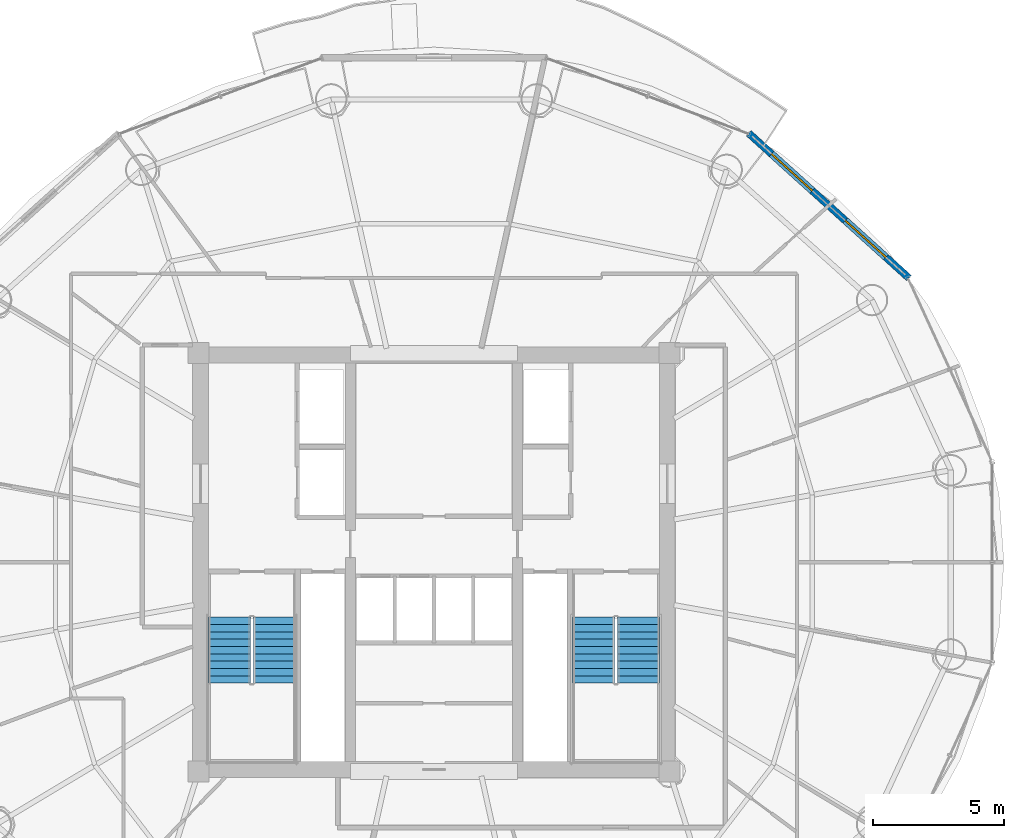
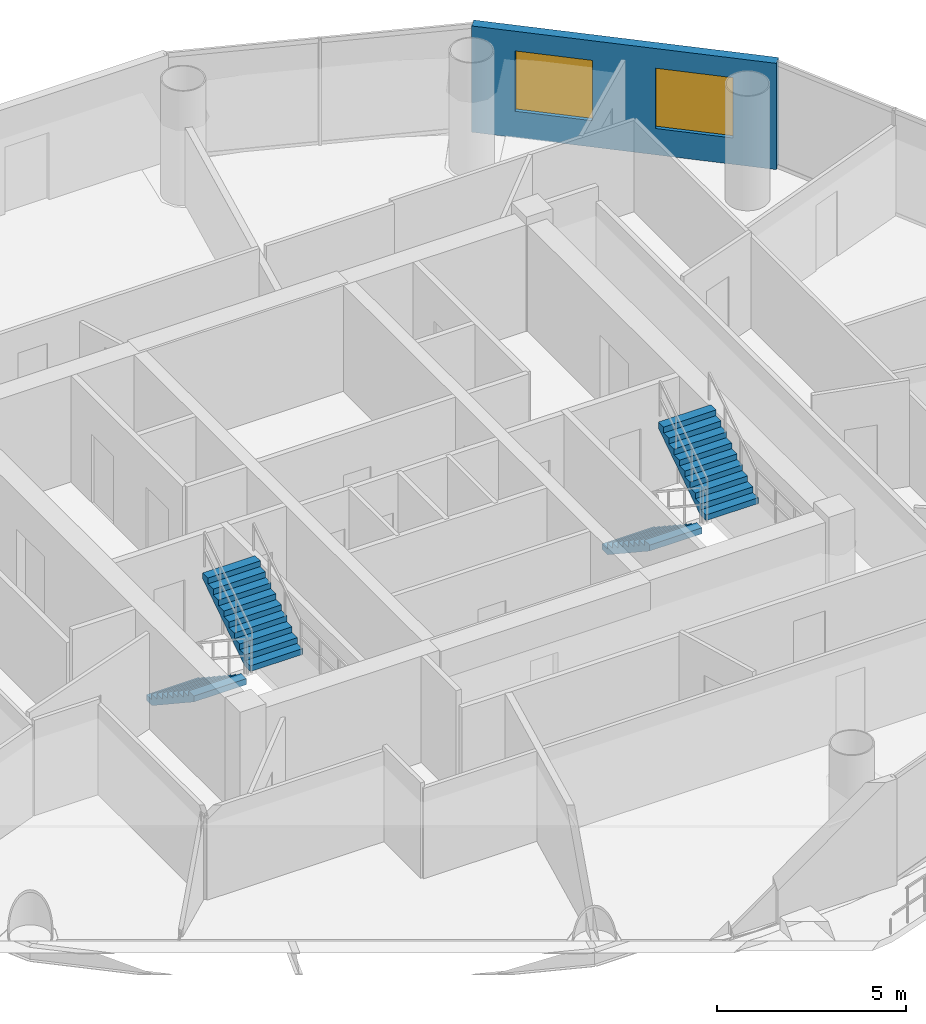
# One storey, part 23 of 26: 4 stair flights, 2 windows, 1 wall, 2 openings, 2 elements without a shape of their own.
"""IFC4 building model written with IfcOpenShell, lengths in metres."""

from ifc_helpers import new_model, si_unit, direction, frame, frame_2d, origin, place, context, subcontext, project, spatial, polyline, rectangle, outline, extrude, source, transform, mapped, material, layer, layer_set, type_object, element, fill, aggregate, save


model = new_model("IFC4")

# Units and contexts
model_context = context("Model", 3, precision=1e-05, world=origin(), true_north=direction((-0.2419218956, 0.970295726276)))
body_context = subcontext(model_context, "Body", "Model", "MODEL_VIEW")
ifc_project = project(units=[si_unit("LENGTHUNIT", "METRE"), si_unit("AREAUNIT", "SQUARE_METRE"), si_unit("VOLUMEUNIT", "CUBIC_METRE"), si_unit("PLANEANGLEUNIT", "RADIAN"), si_unit("MASSUNIT", "GRAM", prefix="KILO")], contexts=[model_context])

# Site, building, storey
site_placement = place(None, origin())
site = spatial("IfcSite", under=ifc_project, at=site_placement, CompositionType="ELEMENT")
building_placement = place(site_placement, origin())
building = spatial("IfcBuilding", under=site, at=building_placement, Name="Cobrevalo Terracotta Tower", CompositionType="ELEMENT")
storey_placement = place(building_placement, frame((0.0, 0.0, 224.5)))
storey = spatial("IfcBuildingStorey", under=building, at=storey_placement, Name="L59", CompositionType="ELEMENT", Elevation=224.5)

# Wall, openings, windows
ifc_material_1 = material(Name="Autoclaved aerated concrete block", Category="concrete")
ifc_layer = layer(ifc_material_1, 0.280029296875)
ifc_layer_set = layer_set([ifc_layer], Name="Autoclaved aerated concrete block")
wall_type = type_object("IfcWallType", Name="Insulated tower spandrel & pier wall 280 mm with terracotta rainscreen", PredefinedType="SOLIDWALL", material=ifc_layer_set)
wall_placement = place(storey_placement, frame((56.160400390625, 37.67431640625, 0.0), z_axis=(0.0, 0.0, 1.0), x_axis=(-0.741972126783, 0.670430729514, 0.0)))
wall = element("IfcWall", 1, at=wall_placement, inside=storey, type_object=wall_type, Name="L59 terracotta rainscreen pier wall S02", PredefinedType="SOLIDWALL", context=body_context, shape_type="SweptSolid", body=[
    extrude(rectangle(XDim=8.255126953125, YDim=0.280029296875, at=frame_2d((4.12744140625, 0.0))), origin(), (0.0, 0.0, 1.0), 3.43505859375),
])
opening_1_placement = place(wall_placement, frame((1.1787109375, 0.0, 0.85009765625)))
opening_1 = element("IfcOpeningElement", 2, at=opening_1_placement, cuts=wall, Name="Opening WN-10", PredefinedType="OPENING", context=body_context, shape_type="SweptSolid", body=[
    extrude(rectangle(XDim=2.10009765625, YDim=1.949951171875, at=frame_2d((1.050048828125, 0.97509765625))), frame((0.0, 0.14990234375, 0.0), z_axis=(0.0, -1.0, 0.0), x_axis=(1.0, 0.0, 0.0)), (0.0, 0.0, 1.0), 0.300048828125),
])
opening_2_placement = place(wall_placement, frame((4.97607421875, 0.0, 0.85009765625)))
opening_2 = element("IfcOpeningElement", 3, at=opening_2_placement, cuts=wall, Name="Opening WN-10", PredefinedType="OPENING", context=body_context, shape_type="SweptSolid", body=[
    extrude(rectangle(XDim=2.10009765625, YDim=1.949951171875, at=frame_2d((1.050048828125, 0.97509765625))), frame((0.0, 0.14990234375, 0.0), z_axis=(0.0, -1.0, 0.0), x_axis=(1.0, 0.0, 0.0)), (0.0, 0.0, 1.0), 0.300048828125),
])
ifc_material_2 = material(Name="Solar-control low-E double glazing", Category="glass")
window_type = type_object("IfcWindowType", Name="Wide panoramic low-E aluminium window 2100x1950", PartitioningType="SINGLE_PANEL", PredefinedType="WINDOW", material=ifc_material_2)
shared_shape = source(origin(), body_context, "Body", "SweptSolid", [
    extrude(rectangle(XDim=2.10009765625, YDim=1.949951171875, at=frame_2d((1.050048828125, 0.97509765625))), frame((0.0, 0.030029296875, 0.0), z_axis=(0.0, -1.0, 0.0), x_axis=(1.0, 0.0, 0.0)), (0.0, 0.0, 1.0), 0.06005859375),
])
window_1_placement = place(opening_1_placement, origin())
window_1 = element("IfcWindow", 4, at=window_1_placement, inside=storey, type_object=window_type, Name="L59 suite window S02A", OverallHeight=1.949951171875, OverallWidth=2.10009765625, PartitioningType="SINGLE_PANEL", PredefinedType="WINDOW", context=body_context, shape_type="MappedRepresentation", body=[
    mapped(shared_shape, transform((0.0, 0.0, 0.0), scale=1.0)),
])
fill(opening_1, window_1)
window_2_placement = place(opening_2_placement, origin())
window_2 = element("IfcWindow", 5, at=window_2_placement, inside=storey, type_object=window_type, Name="L59 suite window S02B", OverallHeight=1.949951171875, OverallWidth=2.10009765625, PartitioningType="SINGLE_PANEL", PredefinedType="WINDOW", context=body_context, shape_type="MappedRepresentation", body=[
    mapped(shared_shape, transform((0.0, 0.0, 0.0), scale=1.0)),
])
fill(opening_2, window_2)

# Stair, stair flights
ifc_material_3 = material(Name="Concrete C50", Category="concrete")
stair_type = type_object("IfcStairType", Name="Core protected escape dogleg stair 1600", PredefinedType="HALF_TURN_STAIR", material=ifc_material_3)
stair_1_placement = place(storey_placement, origin())
stair_1 = element("IfcStair", 6, at=stair_1_placement, inside=storey, type_object=stair_type, Name="L59 Protected exit stair ST-1", PredefinedType="HALF_TURN_STAIR")
stair_flight_type = type_object("IfcStairFlightType", Name="Core protected escape dogleg stair 1600 flight", PredefinedType="STRAIGHT", material=ifc_material_3)
stair_flight_1_placement = place(storey_placement, frame((30.175048828125, 24.699951171875, 0.0), z_axis=(0.0, 0.0, 1.0), x_axis=(0.0, -1.0, 0.0)))
stair_flight_1 = element("IfcStairFlight", 7, at=stair_flight_1_placement, type_object=stair_flight_type, Name="ST-1 flight 1", NumberOfRisers=10, NumberOfTreads=9, PredefinedType="STRAIGHT", RiserHeight=0.185, TreadLength=0.28, context=body_context, shape_type="SweptSolid", body=[
    extrude(outline(polyline([(0.0, 0.0), (0.0, 0.18505859375), (0.280029296875, 0.18505859375), (0.280029296875, 0.3701171875), (0.56005859375, 0.3701171875), (0.56005859375, 0.554931640625), (0.840087890625, 0.554931640625), (0.840087890625, 0.739990234375), (1.1201171875, 0.739990234375), (1.1201171875, 0.925048828125), (1.39990234375, 0.925048828125), (1.39990234375, 1.110107421875), (1.679931640625, 1.110107421875), (1.679931640625, 1.294921875), (1.9599609375, 1.294921875), (1.9599609375, 1.47998046875), (2.239990234375, 1.47998046875), (2.239990234375, 1.6650390625), (2.52001953125, 1.6650390625), (2.52001953125, 1.85009765625), (2.52001953125, 1.473388671875), (0.2900390625, 0.0), (0.0, 0.0)])), frame((0.0, 0.800048828125, 0.0), z_axis=(0.0, -1.0, 0.0), x_axis=(1.0, 0.0, 0.0)), (0.0, 0.0, 1.0), 1.60009765625),
])
stair_flight_2_placement = place(storey_placement, frame((31.89501953125, 22.179931640625, 1.85009765625), z_axis=(0.0, 0.0, 1.0), x_axis=(0.0, 1.0, 0.0)))
stair_flight_2 = element("IfcStairFlight", 8, at=stair_flight_2_placement, type_object=stair_flight_type, Name="ST-1 flight 2", NumberOfRisers=10, NumberOfTreads=9, PredefinedType="STRAIGHT", RiserHeight=0.185, TreadLength=0.28, context=body_context, shape_type="SweptSolid", body=[
    extrude(outline(polyline([(0.0, 0.0), (0.0, 0.18505859375), (0.280029296875, 0.18505859375), (0.280029296875, 0.3701171875), (0.56005859375, 0.3701171875), (0.56005859375, 0.554931640625), (0.840087890625, 0.554931640625), (0.840087890625, 0.739990234375), (1.1201171875, 0.739990234375), (1.1201171875, 0.925048828125), (1.39990234375, 0.925048828125), (1.39990234375, 1.110107421875), (1.679931640625, 1.110107421875), (1.679931640625, 1.294921875), (1.9599609375, 1.294921875), (1.9599609375, 1.47998046875), (2.239990234375, 1.47998046875), (2.239990234375, 1.6650390625), (2.52001953125, 1.6650390625), (2.52001953125, 1.85009765625), (2.52001953125, 1.473388671875), (0.2900390625, 0.0), (0.0, 0.0)])), frame((0.0, 0.800048828125, 0.0), z_axis=(0.0, -1.0, 0.0), x_axis=(1.0, 0.0, 0.0)), (0.0, 0.0, 1.0), 1.60009765625),
])
aggregate(stair_1, [stair_flight_1, stair_flight_2])

stair_2_placement = place(storey_placement, origin())
stair_2 = element("IfcStair", 9, at=stair_2_placement, inside=storey, type_object=stair_type, Name="L59 Protected exit stair ST-2", PredefinedType="HALF_TURN_STAIR")
stair_flight_3_placement = place(storey_placement, frame((44.10498046875, 24.699951171875, 0.0), z_axis=(0.0, 0.0, 1.0), x_axis=(0.0, -1.0, 0.0)))
stair_flight_3 = element("IfcStairFlight", 10, at=stair_flight_3_placement, type_object=stair_flight_type, Name="ST-2 flight 1", NumberOfRisers=10, NumberOfTreads=9, PredefinedType="STRAIGHT", RiserHeight=0.185, TreadLength=0.28, context=body_context, shape_type="SweptSolid", body=[
    extrude(outline(polyline([(0.0, 0.0), (0.0, 0.18505859375), (0.280029296875, 0.18505859375), (0.280029296875, 0.3701171875), (0.56005859375, 0.3701171875), (0.56005859375, 0.554931640625), (0.840087890625, 0.554931640625), (0.840087890625, 0.739990234375), (1.1201171875, 0.739990234375), (1.1201171875, 0.925048828125), (1.39990234375, 0.925048828125), (1.39990234375, 1.110107421875), (1.679931640625, 1.110107421875), (1.679931640625, 1.294921875), (1.9599609375, 1.294921875), (1.9599609375, 1.47998046875), (2.239990234375, 1.47998046875), (2.239990234375, 1.6650390625), (2.52001953125, 1.6650390625), (2.52001953125, 1.85009765625), (2.52001953125, 1.473388671875), (0.2900390625, 0.0), (0.0, 0.0)])), frame((0.0, 0.800048828125, 0.0), z_axis=(0.0, -1.0, 0.0), x_axis=(1.0, 0.0, 0.0)), (0.0, 0.0, 1.0), 1.60009765625),
])
stair_flight_4_placement = place(storey_placement, frame((45.824951171875, 22.179931640625, 1.85009765625), z_axis=(0.0, 0.0, 1.0), x_axis=(0.0, 1.0, 0.0)))
stair_flight_4 = element("IfcStairFlight", 11, at=stair_flight_4_placement, type_object=stair_flight_type, Name="ST-2 flight 2", NumberOfRisers=10, NumberOfTreads=9, PredefinedType="STRAIGHT", RiserHeight=0.185, TreadLength=0.28, context=body_context, shape_type="SweptSolid", body=[
    extrude(outline(polyline([(0.0, 0.0), (0.0, 0.18505859375), (0.280029296875, 0.18505859375), (0.280029296875, 0.3701171875), (0.56005859375, 0.3701171875), (0.56005859375, 0.554931640625), (0.840087890625, 0.554931640625), (0.840087890625, 0.739990234375), (1.1201171875, 0.739990234375), (1.1201171875, 0.925048828125), (1.39990234375, 0.925048828125), (1.39990234375, 1.110107421875), (1.679931640625, 1.110107421875), (1.679931640625, 1.294921875), (1.9599609375, 1.294921875), (1.9599609375, 1.47998046875), (2.239990234375, 1.47998046875), (2.239990234375, 1.6650390625), (2.52001953125, 1.6650390625), (2.52001953125, 1.85009765625), (2.52001953125, 1.473388671875), (0.2900390625, 0.0), (0.0, 0.0)])), frame((0.0, 0.800048828125, 0.0), z_axis=(0.0, -1.0, 0.0), x_axis=(1.0, 0.0, 0.0)), (0.0, 0.0, 1.0), 1.60009765625),
])
aggregate(stair_2, [stair_flight_3, stair_flight_4])

save(model, "model.ifc")
